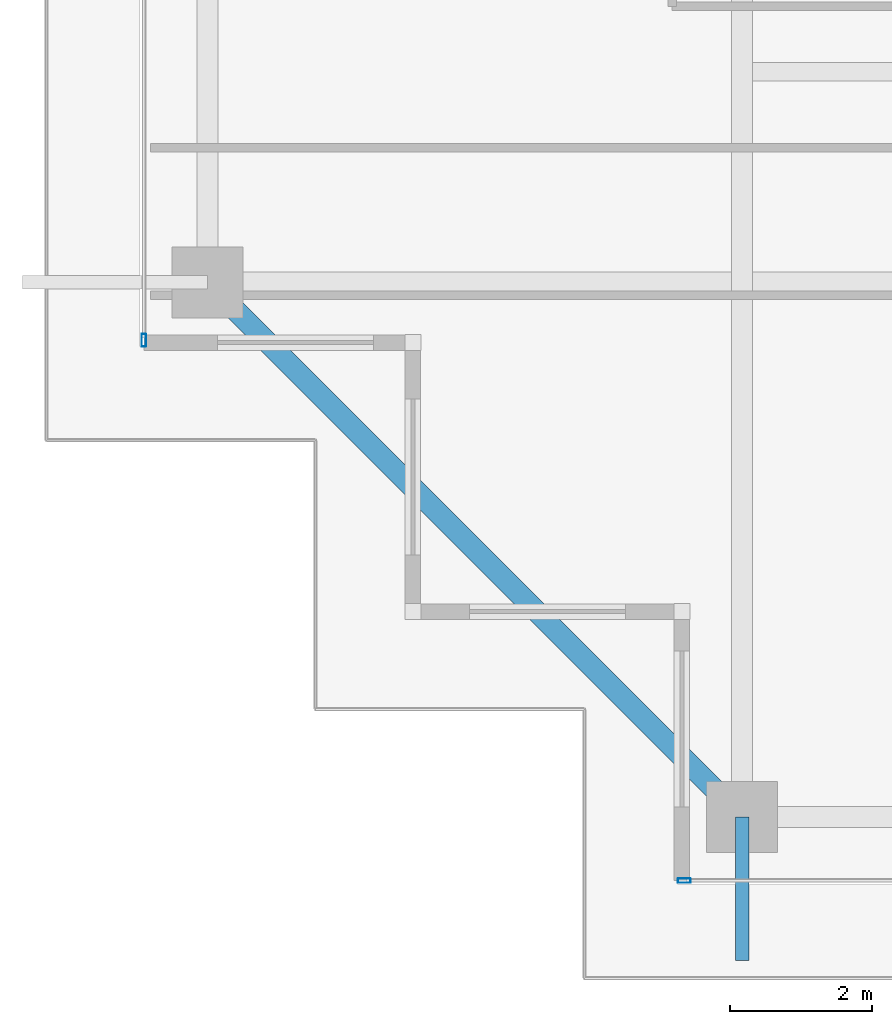
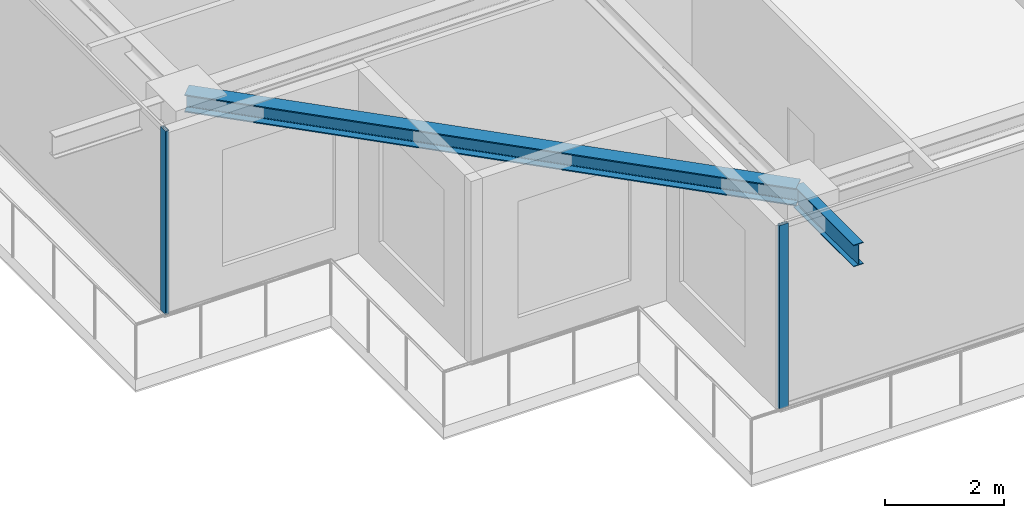
# One storey, part 2 of 40: 2 beams, 2 members, 2 elements without a shape of their own.
"""IFC4 building model written with IfcOpenShell, lengths in metres."""

from ifc_helpers import new_model, si_unit, direction, frame, origin, origin_2d, place, context, subcontext, project, spatial, hollow_rectangle, i_section, extrude, source, transform, mapped, material, layer, layer_set, material_profile, profile_set, type_object, element, aggregate, save


model = new_model("IFC4")

# Units and contexts
model_context = context("Model", 3, precision=1e-05, world=origin(), true_north=direction((0.0, 1.0)))
body_context = subcontext(model_context, "Body", "Model", "MODEL_VIEW")
ifc_project = project(units=[si_unit("LENGTHUNIT", "METRE"), si_unit("AREAUNIT", "SQUARE_METRE"), si_unit("VOLUMEUNIT", "CUBIC_METRE"), si_unit("PLANEANGLEUNIT", "RADIAN"), si_unit("MASSUNIT", "GRAM", prefix="KILO")], contexts=[model_context])

# Site, building, storey
site_placement = place(None, origin())
site = spatial("IfcSite", under=ifc_project, at=site_placement, CompositionType="ELEMENT")
building_placement = place(site_placement, origin())
building = spatial("IfcBuilding", under=site, at=building_placement, Name="Serunith Strait Residences", CompositionType="ELEMENT")
storey_placement = place(building_placement, frame((0.0, 0.0, 313.699951171875)))
storey = spatial("IfcBuildingStorey", under=building, at=storey_placement, Name="L78", CompositionType="ELEMENT", Elevation=313.699951171875)

# Beams
ifc_material_1 = material(Name="Steel S355J2", Category="steel")
ifc_material_profile_1 = material_profile(ifc_material_1, i_section(OverallWidth=0.300048828125, OverallDepth=0.360107421875, WebThickness=0.012451171875, FlangeThickness=0.0224609375, FilletRadius=0.027099609375, at=origin_2d()), Name="HEB 360")
ifc_profile_set_1 = profile_set([ifc_material_profile_1], Name="Steel S355J2")
beam_type_1 = type_object("IfcBeamType", Name="BM-HEB360", PredefinedType="BEAM", material=ifc_profile_set_1)
shared_shape_1 = source(origin(), body_context, "Body", "SweptSolid", [
    extrude(i_section(OverallWidth=0.300048828125, OverallDepth=0.360107421875, WebThickness=0.012451171875, FlangeThickness=0.0224609375, FilletRadius=0.027099609375, at=origin_2d()), origin(), (0.0, 0.0, 1.0), 10.67724609375),
])
beam_1_placement = place(storey_placement, frame((10.10009765625, 10.85009765625, 3.5771484375), z_axis=(0.707095348302, -0.707118213887, 0.0), x_axis=(0.707118213887, 0.707095348302, 0.0)))
element("IfcBeam", 1, at=beam_1_placement, inside=storey, type_object=beam_type_1, Name="L78 Perimeter Ring Beam 16", PredefinedType="BEAM", context=body_context, shape_type="MappedRepresentation", body=[
    mapped(shared_shape_1, transform((0.0, 0.0, 0.0), scale=1.0)),
])
ifc_material_profile_2 = material_profile(ifc_material_1, i_section(OverallWidth=0.18994140625, OverallDepth=0.449951171875, WebThickness=0.009521484375, FlangeThickness=0.0146484375, FilletRadius=0.02099609375, at=origin_2d()), Name="IPE 450")
ifc_profile_set_2 = profile_set([ifc_material_profile_2], Name="Steel S355J2")
beam_type_2 = type_object("IfcBeamType", Name="BM-IPE450", PredefinedType="JOIST", material=ifc_profile_set_2)
shared_shape_2 = source(origin(), body_context, "Body", "SweptSolid", [
    extrude(i_section(OverallWidth=0.18994140625, OverallDepth=0.449951171875, WebThickness=0.009521484375, FlangeThickness=0.0146484375, FilletRadius=0.02099609375, at=origin_2d()), origin(), (0.0, 0.0, 1.0), 2.030029296875),
])
beam_2_placement = place(storey_placement, frame((17.64990234375, 3.300048828125, 3.531982421875), z_axis=(0.0, -1.0, 0.0), x_axis=(1.0, 0.0, 0.0)))
element("IfcBeam", 2, at=beam_2_placement, inside=storey, type_object=beam_type_2, Name="L79 Cantilevered Balcony Rib TC-S1", PredefinedType="JOIST", context=body_context, shape_type="MappedRepresentation", body=[
    mapped(shared_shape_2, transform((0.0, 0.0, 0.0), scale=1.0)),
])

# Curtain wall, member
ifc_material_2 = material(Name="Brushed Stainless-Silver Aluminium", Category="aluminium")
ifc_layer = layer(ifc_material_2, 0.199951171875, Name="Brushed Stainless-Silver Aluminium")
ifc_layer_set = layer_set([ifc_layer], Name="Brushed Stainless-Silver Aluminium")
curtain_wall_type = type_object("IfcCurtainWallType", Name="CW-SYS5", PredefinedType="NOTDEFINED", material=ifc_layer_set)
curtain_wall_1_placement = place(storey_placement, origin())
curtain_wall_1 = element("IfcCurtainWall", 3, at=curtain_wall_1_placement, inside=storey, type_object=curtain_wall_type, Name="L78 S Unitised Fritted Curtain Wall", PredefinedType="NOTDEFINED")
ifc_material_profile_3 = material_profile(ifc_material_2, hollow_rectangle(XDim=0.06494140625, YDim=0.179931640625, WallThickness=0.00341796875, InnerFilletRadius=0.00537109375, OuterFilletRadius=0.0087890625, at=origin_2d()), Name="ALU 180x65x3.5")
ifc_profile_set_3 = profile_set([ifc_material_profile_3], Name="Brushed Stainless-Silver Aluminium")
member_type = type_object("IfcMemberType", Name="CW-SYS5-MULL", PredefinedType="MULLION", material=ifc_profile_set_3)
shared_shape_3 = source(origin(), body_context, "Body", "SweptSolid", [
    extrude(hollow_rectangle(XDim=0.06494140625, YDim=0.179931640625, WallThickness=0.00341796875, InnerFilletRadius=0.00537109375, OuterFilletRadius=0.0087890625, at=origin_2d()), origin(), (0.0, 0.0, 1.0), 3.775146484375),
])
member_1_placement = place(storey_placement, frame((16.83251953125, 2.39990234375, 0.0), z_axis=(0.0, 0.0, 1.0), x_axis=(0.0, 1.0, 0.0)))
member_1 = element("IfcMember", 4, at=member_1_placement, type_object=member_type, Name="CW-5 mullion 1", PredefinedType="MULLION", context=body_context, shape_type="MappedRepresentation", body=[
    mapped(shared_shape_3, transform((0.0, 0.0, 0.0), scale=1.0)),
])
aggregate(curtain_wall_1, [member_1])

curtain_wall_2_placement = place(storey_placement, origin())
curtain_wall_2 = element("IfcCurtainWall", 5, at=curtain_wall_2_placement, inside=storey, type_object=curtain_wall_type, Name="L78 W Unitised Fritted Curtain Wall", PredefinedType="NOTDEFINED")
member_2_placement = place(storey_placement, frame((9.199951171875, 10.032470703125, 0.0), z_axis=(0.0, 0.0, 1.0), x_axis=(1.0, 0.0, 0.0)))
member_2 = element("IfcMember", 6, at=member_2_placement, type_object=member_type, Name="CW-5 mullion 6", PredefinedType="MULLION", context=body_context, shape_type="MappedRepresentation", body=[
    mapped(shared_shape_3, transform((0.0, 0.0, 0.0), scale=1.0)),
])
aggregate(curtain_wall_2, [member_2])

save(model, "model.ifc")
